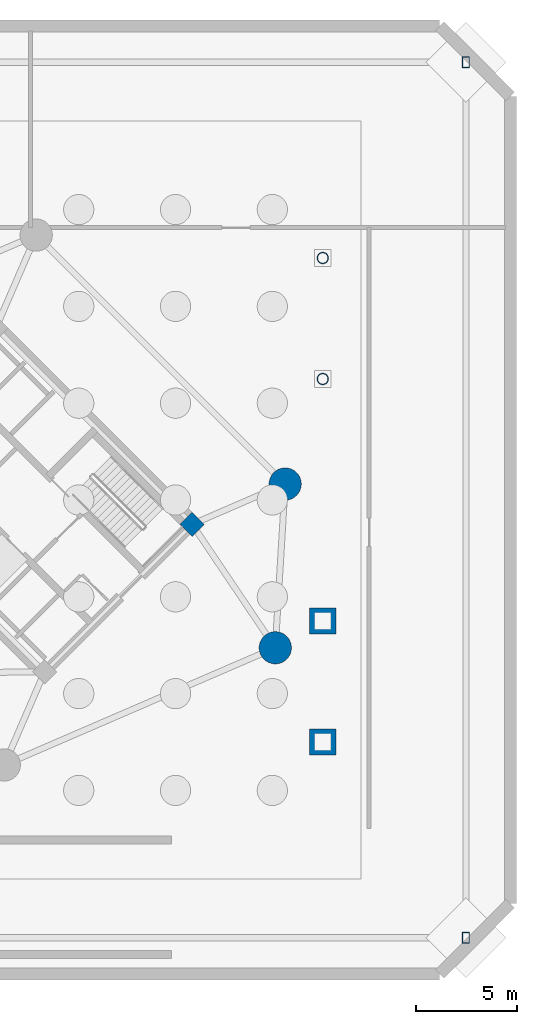
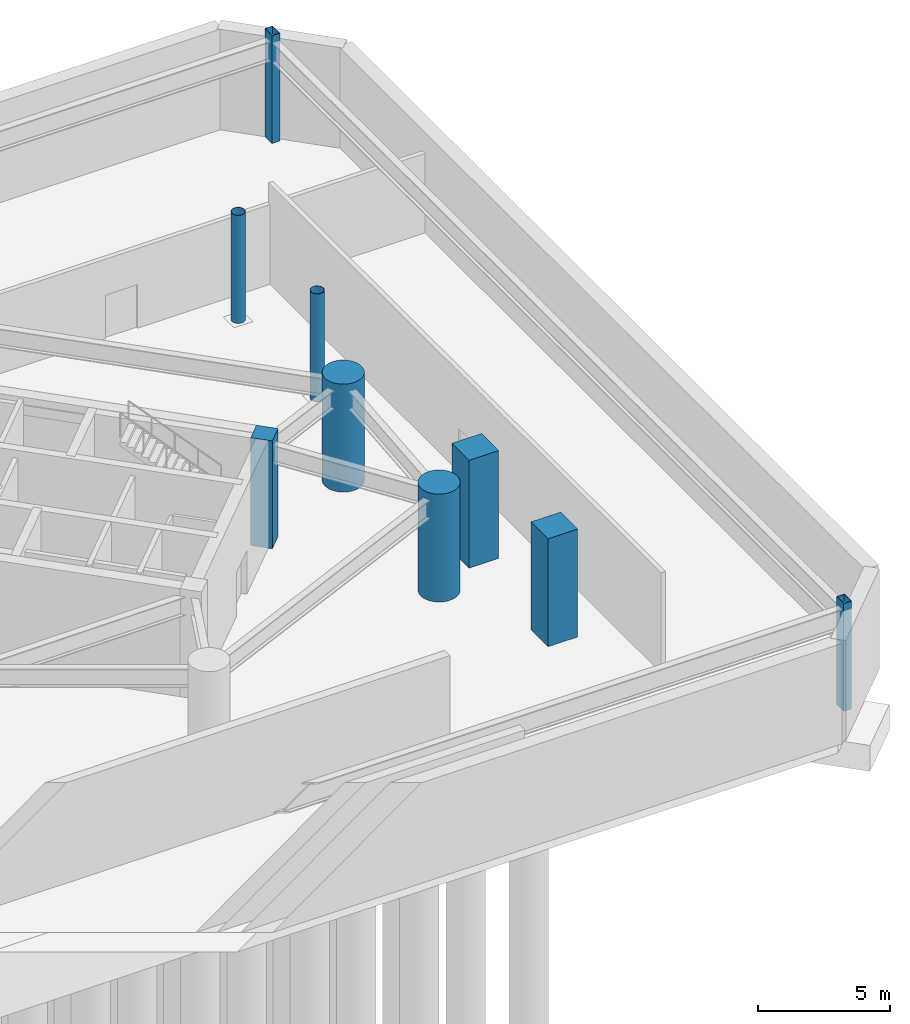
# One storey, part 3 of 15: 9 columns.
"""IFC4 building model written with IfcOpenShell, lengths in metres."""

from ifc_helpers import new_model, si_unit, direction, frame, origin, origin_2d, place, context, subcontext, project, spatial, rectangle, hollow_rectangle, circle, hollow_circle, extrude, material, material_profile, profile_set, type_object, element, save


model = new_model("IFC4")

# Units and contexts
model_context = context("Model", 3, precision=1e-05, world=origin(), true_north=direction((0.0, 1.0)))
body_context = subcontext(model_context, "Body", "Model", "MODEL_VIEW")
ifc_project = project(units=[si_unit("LENGTHUNIT", "METRE"), si_unit("AREAUNIT", "SQUARE_METRE"), si_unit("VOLUMEUNIT", "CUBIC_METRE"), si_unit("PLANEANGLEUNIT", "RADIAN"), si_unit("MASSUNIT", "GRAM", prefix="KILO")], contexts=[model_context])

# Site, building, storey
site_placement = place(None, origin())
site = spatial("IfcSite", under=ifc_project, at=site_placement, CompositionType="ELEMENT")
building_placement = place(site_placement, origin())
building = spatial("IfcBuilding", under=site, at=building_placement, Name="Cununo Teusaquillo Station Towers", CompositionType="ELEMENT")
storey_placement = place(building_placement, frame((0.0, 0.0, -10.0)))
storey = spatial("IfcBuildingStorey", under=building, at=storey_placement, Name="B02", CompositionType="ELEMENT", Elevation=-10.0)

# Columns
ifc_material_1 = material(Name="Concrete C50/60", Category="concrete")
ifc_material_profile_1 = material_profile(ifc_material_1, rectangle(XDim=0.85009765625, YDim=0.85009765625, at=origin_2d()), Name="RC-RECT-850x850")
ifc_profile_set_1 = profile_set([ifc_material_profile_1], Name="Concrete C50/60")
column_type_1 = type_object("IfcColumnType", Name="COL-CORE-Z1", PredefinedType="COLUMN", material=ifc_profile_set_1)
column_placement = place(storey_placement, frame((66.024169921875, 23.29443359375, 0.0), z_axis=(0.0, 0.0, 1.0), x_axis=(0.707106781187, 0.707106781187, 0.0)))
element("IfcColumn", 1, at=column_placement, inside=storey, type_object=column_type_1, Name="B02 Tower B Core Column 3", PredefinedType="COLUMN", context=body_context, shape_type="SweptSolid", body=[
    extrude(rectangle(XDim=0.85009765625, YDim=0.85009765625, at=origin_2d()), origin(), (0.0, 0.0, 1.0), 5.0),
])
ifc_material_2 = material(Name="Concrete C60/75", Category="concrete")
ifc_material_profile_2 = material_profile(ifc_material_2, circle(Radius=0.800048828125, at=origin_2d()), Name="RC-CIRC-1600")
ifc_profile_set_2 = profile_set([ifc_material_profile_2], Name="Concrete C60/75")
column_type_2 = type_object("IfcColumnType", Name="COL-MEGA-POD", PredefinedType="USERDEFINED", material=ifc_profile_set_2)
for number, where, z_axis, x_axis, name in (
    (2, (70.146240234375, 17.173095703125, 0.0), (0.0, 0.0, 1.0), (1.0, 0.0, 0.0), "B02 Tower B Perimeter Column V16"),
    (3, (70.63525390625, 25.291015625, 0.0), (0.0, 0.0, 1.0), (1.0, 0.0, 0.0), "B02 Tower B Perimeter Column V18"),
):
    element("IfcColumn", number, at=place(storey_placement, frame(where, z_axis=z_axis, x_axis=x_axis)), inside=storey, type_object=column_type_2, Name=name, ObjectType="MEGA COLUMN", PredefinedType="USERDEFINED", context=body_context, shape_type="SweptSolid", body=[
        extrude(circle(Radius=0.800048828125, at=origin_2d()), origin(), (0.0, 0.0, 1.0), 5.0),
    ])
ifc_material_3 = material(Name="Steel ASTM A572 Grade 50", Category="steel")
ifc_material_profile_3 = material_profile(ifc_material_3, hollow_rectangle(XDim=0.35009765625, YDim=0.550048828125, WallThickness=0.02197265625, at=origin_2d()), Name="RHS 550x350x22")
ifc_profile_set_3 = profile_set([ifc_material_profile_3], Name="Steel ASTM A572 Grade 50")
column_type_3 = type_object("IfcColumnType", Name="COL-PILASTER", PredefinedType="PILASTER", material=ifc_profile_set_3)
for number, where, z_axis, x_axis, name in (
    (4, (79.60009765625, 46.199951171875, 0.0), (0.0, 0.0, 1.0), (1.0, 0.0, 0.0), "B02 Station Hall Pilaster PIL-NE"),
    (5, (79.60009765625, 2.800048828125, 0.0), (0.0, 0.0, 1.0), (1.0, 0.0, 0.0), "B02 Station Hall Pilaster PIL-SE"),
):
    element("IfcColumn", number, at=place(storey_placement, frame(where, z_axis=z_axis, x_axis=x_axis)), inside=storey, type_object=column_type_3, Name=name, PredefinedType="PILASTER", context=body_context, shape_type="SweptSolid", body=[
        extrude(hollow_rectangle(XDim=0.35009765625, YDim=0.550048828125, WallThickness=0.02197265625, at=origin_2d()), origin(), (0.0, 0.0, 1.0), 5.0),
    ])
ifc_material_4 = material(Name="Concrete C60/75", Category="concrete")
ifc_material_profile_4 = material_profile(ifc_material_4, rectangle(XDim=1.300048828125, YDim=1.300048828125, at=origin_2d()), Name="RC-RECT-1300x1300")
ifc_profile_set_4 = profile_set([ifc_material_profile_4], Name="Concrete C60/75")
column_type_4 = type_object("IfcColumnType", Name="COL-XFER-T1", PredefinedType="COLUMN", material=ifc_profile_set_4)
for number, where, z_axis, x_axis, name in (
    (6, (72.5, 12.5, 0.0), (0.0, 0.0, 1.0), (1.0, 0.0, 0.0), "B02 East Station Gallery Column 1"),
    (7, (72.5, 18.5, 0.0), (0.0, 0.0, 1.0), (1.0, 0.0, 0.0), "B02 East Station Gallery Column 2"),
):
    element("IfcColumn", number, at=place(storey_placement, frame(where, z_axis=z_axis, x_axis=x_axis)), inside=storey, type_object=column_type_4, Name=name, PredefinedType="COLUMN", context=body_context, shape_type="SweptSolid", body=[
        extrude(rectangle(XDim=1.300048828125, YDim=1.300048828125, at=origin_2d()), origin(), (0.0, 0.0, 1.0), 5.0),
    ])
ifc_material_5 = material(Name="Steel EN 10025-2 S355J2", Category="steel")
ifc_material_profile_5 = material_profile(ifc_material_5, hollow_circle(Radius=0.279541015625, WallThickness=0.02001953125, at=origin_2d()), Name="CHS 559x20")
ifc_profile_set_5 = profile_set([ifc_material_profile_5], Name="Steel EN 10025-2 S355J2")
column_type_5 = type_object("IfcColumnType", Name="COL-XFER-T3", PredefinedType="COLUMN", material=ifc_profile_set_5)
for number, where, z_axis, x_axis, name in (
    (8, (72.5, 30.5, 0.0), (0.0, 0.0, 1.0), (1.0, 0.0, 0.0), "B02 East Station Gallery Column 3"),
    (9, (72.5, 36.5, 0.0), (0.0, 0.0, 1.0), (1.0, 0.0, 0.0), "B02 East Station Gallery Column 4"),
):
    element("IfcColumn", number, at=place(storey_placement, frame(where, z_axis=z_axis, x_axis=x_axis)), inside=storey, type_object=column_type_5, Name=name, PredefinedType="COLUMN", context=body_context, shape_type="SweptSolid", body=[
        extrude(hollow_circle(Radius=0.279541015625, WallThickness=0.02001953125, at=origin_2d()), origin(), (0.0, 0.0, 1.0), 5.0),
    ])

save(model, "model.ifc")
